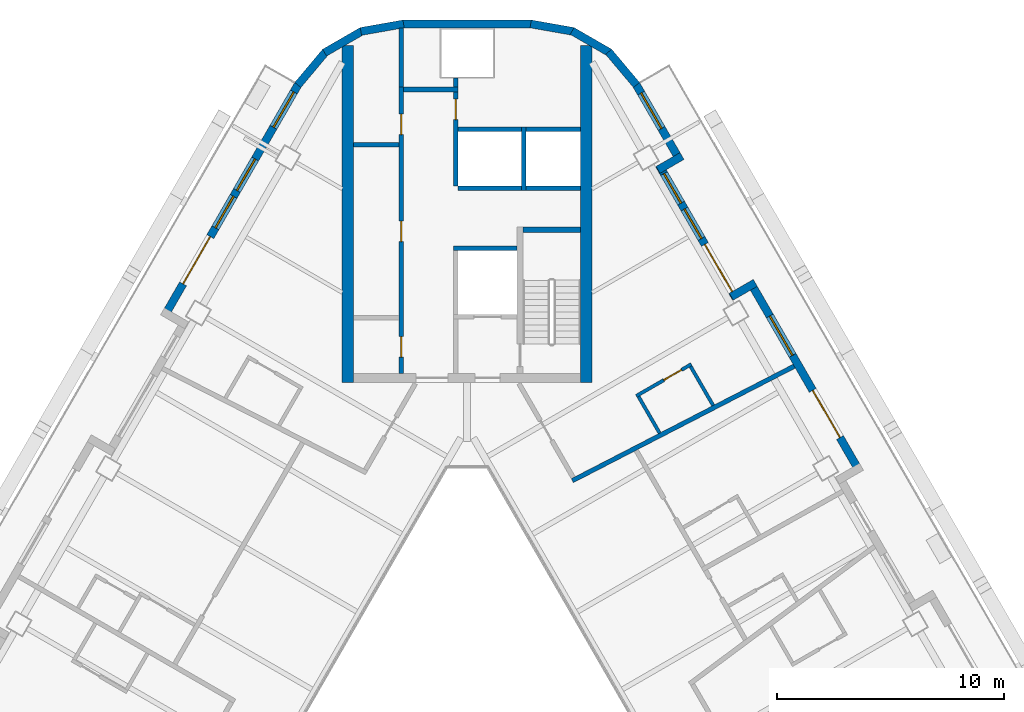
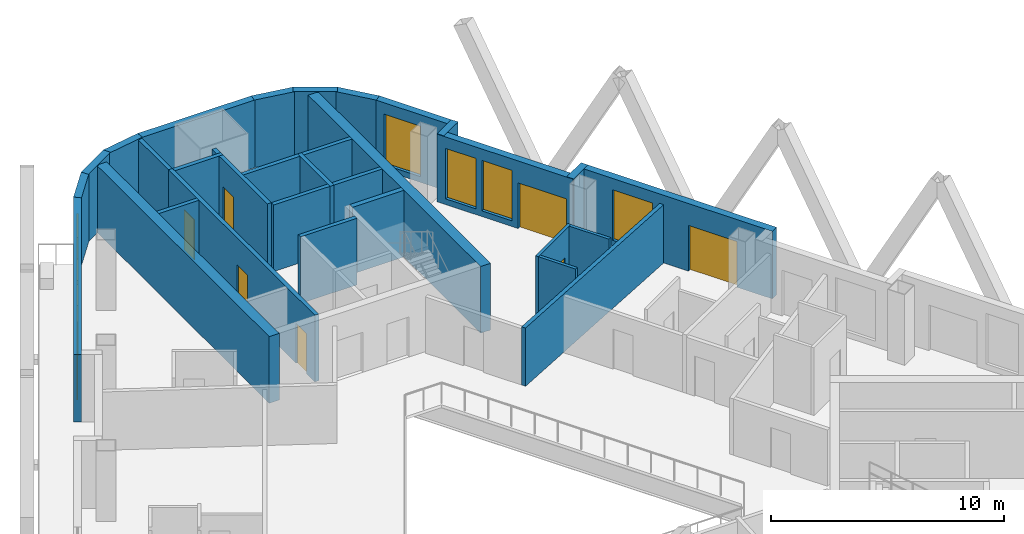
# One storey, part 7 of 14: 32 walls, 8 doors, 7 windows, 15 openings.
"""IFC4 building model written with IfcOpenShell, lengths in metres."""

from ifc_helpers import new_model, si_unit, direction, frame, frame_2d, origin, place, context, subcontext, project, spatial, rectangle, extrude, material, layer, layer_set, type_object, element, fill, save


model = new_model("IFC4")

# Units and contexts
model_context = context("Model", 3, precision=1e-05, world=origin(), true_north=direction((0.0, 1.0)))
body_context = subcontext(model_context, "Body", "Model", "MODEL_VIEW")
ifc_project = project(units=[si_unit("LENGTHUNIT", "METRE"), si_unit("AREAUNIT", "SQUARE_METRE"), si_unit("VOLUMEUNIT", "CUBIC_METRE"), si_unit("PLANEANGLEUNIT", "RADIAN"), si_unit("MASSUNIT", "GRAM", prefix="KILO")], contexts=[model_context])

# Site, building, storey
site_placement = place(None, origin())
site = spatial("IfcSite", under=ifc_project, at=site_placement, CompositionType="ELEMENT")
building_placement = place(site_placement, origin())
building = spatial("IfcBuilding", under=site, at=building_placement, Name="Apuvela Tower Hotel", CompositionType="ELEMENT")
storey_placement = place(building_placement, frame((0.0, 0.0, 168.800048828125)))
storey = spatial("IfcBuildingStorey", under=building, at=storey_placement, Name="L40", CompositionType="ELEMENT", Elevation=168.800048828125)

# Walls
ifc_material_1 = material(Name="Concrete C50/60", Category="concrete")
ifc_layer_1 = layer(ifc_material_1, 0.5)
ifc_layer_set_1 = layer_set([ifc_layer_1], Name="COR-WALL-CORE-500")
wall_type_1 = type_object("IfcWallType", Name="COR-WALL-CORE-500", PredefinedType="SHEAR", material=ifc_layer_set_1)
for number, where, z_axis, x_axis, name in (
    (1, (5.25, 12.89990234375, 0.0), (0.0, 0.0, 1.0), (0.0, 1.0, 0.0), "Core wall N"),
    (2, (-5.25, 12.89990234375, 0.0), (0.0, 0.0, 1.0), (0.0, 1.0, 0.0), "Core wall N"),
):
    element("IfcWall", number, at=place(storey_placement, frame(where, z_axis=z_axis, x_axis=x_axis)), inside=storey, type_object=wall_type_1, Name=name, PredefinedType="SHEAR", context=body_context, shape_type="SweptSolid", body=[
        extrude(rectangle(XDim=14.8369140625, YDim=0.5, at=frame_2d((7.41845703125, 0.0))), origin(), (0.0, 0.0, 1.0), 3.5),
    ])
ifc_material_2 = material(Name="Blockwork 200 mm plastered", Category="masonry")
ifc_layer_2 = layer(ifc_material_2, 0.199951171875)
ifc_layer_set_2 = layer_set([ifc_layer_2], Name="COR-WALL-PART-200")
wall_type_2 = type_object("IfcWallType", Name="COR-WALL-PART-200", PredefinedType="PARTITIONING", material=ifc_layer_set_2)
wall_1_placement = place(storey_placement, frame((5.0, 21.449951171875, 0.0), z_axis=(0.0, 0.0, 1.0), x_axis=(-1.0, 0.0, 0.0)))
element("IfcWall", 3, at=wall_1_placement, inside=storey, type_object=wall_type_2, Name="Partition N", PredefinedType="PARTITIONING", context=body_context, shape_type="SweptSolid", body=[
    extrude(rectangle(XDim=2.39990234375, YDim=0.199951171875, at=frame_2d((1.199951171875, 0.0))), origin(), (0.0, 0.0, 1.0), 3.5),
])
wall_2_placement = place(storey_placement, frame((2.39990234375, 21.449951171875, 0.0), z_axis=(0.0, 0.0, 1.0), x_axis=(-1.0, 0.0, 0.0)))
element("IfcWall", 4, at=wall_2_placement, inside=storey, type_object=wall_type_2, Name="Partition N", PredefinedType="PARTITIONING", context=body_context, shape_type="SweptSolid", body=[
    extrude(rectangle(XDim=2.7998046875, YDim=0.199951171875, at=frame_2d((1.39990234375, 0.0))), origin(), (0.0, 0.0, 1.0), 3.5),
])
ifc_layer_3 = layer(ifc_material_1, 0.199951171875)
ifc_layer_set_3 = layer_set([ifc_layer_3], Name="COR-WALL-SHAFT-200")
wall_type_3 = type_object("IfcWallType", Name="COR-WALL-SHAFT-200", PredefinedType="SHEAR", material=ifc_layer_set_3)
wall_3_placement = place(storey_placement, frame((2.199951171875, 18.800048828125, 0.0), z_axis=(0.0, 0.0, 1.0), x_axis=(-1.0, 0.0, 0.0)))
element("IfcWall", 5, at=wall_3_placement, inside=storey, type_object=wall_type_3, Name="Shaft wall N", PredefinedType="SHEAR", context=body_context, shape_type="SweptSolid", body=[
    extrude(rectangle(XDim=2.800048828125, YDim=0.199951171875, at=frame_2d((1.39990234375, 0.0))), origin(), (0.0, 0.0, 1.0), 3.5),
])

# Wall, openings, doors
wall_4_placement = place(storey_placement, frame((-2.89990234375, 13.300048828125, 0.0), z_axis=(0.0, 0.0, 1.0), x_axis=(0.0, 1.0, 0.0)))
wall_4 = element("IfcWall", 6, at=wall_4_placement, inside=storey, type_object=wall_type_3, Name="Shaft wall N", PredefinedType="SHEAR", context=body_context, shape_type="SweptSolid", body=[
    extrude(rectangle(XDim=12.599853515625, YDim=0.199951171875, at=frame_2d((6.2998046875, 0.0))), origin(), (0.0, 0.0, 1.0), 3.5),
])
opening_1_placement = place(wall_4_placement, frame((0.719970703125, 0.0, 0.0)))
opening_1 = element("IfcOpeningElement", 7, at=opening_1_placement, cuts=wall_4, Name="Opening N-RE1", PredefinedType="OPENING", context=body_context, shape_type="SweptSolid", body=[
    extrude(rectangle(XDim=0.89990234375, YDim=2.10009765625, at=frame_2d((0.449951171875, 1.050048828125))), frame((0.0, 0.10986328125, 0.0), z_axis=(0.0, -1.0, 0.0), x_axis=(1.0, 0.0, 0.0)), (0.0, 0.0, 1.0), 0.219970703125),
])
opening_2_placement = place(wall_4_placement, frame((5.800048828125, 0.0, 0.0)))
opening_2 = element("IfcOpeningElement", 8, at=opening_2_placement, cuts=wall_4, Name="Opening N-RE2", PredefinedType="OPENING", context=body_context, shape_type="SweptSolid", body=[
    extrude(rectangle(XDim=0.89990234375, YDim=2.10009765625, at=frame_2d((0.449951171875, 1.050048828125))), frame((0.0, 0.10986328125, 0.0), z_axis=(0.0, -1.0, 0.0), x_axis=(1.0, 0.0, 0.0)), (0.0, 0.0, 1.0), 0.219970703125),
])
opening_3_placement = place(wall_4_placement, frame((10.510009765625, 0.0, 0.0)))
opening_3 = element("IfcOpeningElement", 9, at=opening_3_placement, cuts=wall_4, Name="Opening N-REP", PredefinedType="OPENING", context=body_context, shape_type="SweptSolid", body=[
    extrude(rectangle(XDim=0.89990234375, YDim=2.10009765625, at=frame_2d((0.449951171875, 1.050048828125))), frame((0.0, 0.10986328125, 0.0), z_axis=(0.0, -1.0, 0.0), x_axis=(1.0, 0.0, 0.0)), (0.0, 0.0, 1.0), 0.219970703125),
])
ifc_material_3 = material(Name="Steel fire door, powder coated", Category="steel")
door_type_1 = type_object("IfcDoorType", Name="COR-DR-900", OperationType="NOTDEFINED", PredefinedType="DOOR", material=ifc_material_3)
door_1_placement = place(opening_1_placement, origin())
door_1 = element("IfcDoor", 10, at=door_1_placement, inside=storey, type_object=door_type_1, Name="Store door N-RE1", OperationType="SINGLE_SWING_LEFT", OverallHeight=2.10009765625, OverallWidth=0.89990234375, PredefinedType="DOOR", context=body_context, shape_type="SweptSolid", body=[
    extrude(rectangle(XDim=0.89990234375, YDim=2.10009765625, at=frame_2d((0.449951171875, 1.050048828125))), frame((0.0, 0.02490234375, 0.0), z_axis=(0.0, -1.0, 0.0), x_axis=(1.0, 0.0, 0.0)), (0.0, 0.0, 1.0), 0.050048828125),
])
fill(opening_1, door_1)
door_2_placement = place(opening_2_placement, origin())
door_2 = element("IfcDoor", 11, at=door_2_placement, inside=storey, type_object=door_type_1, Name="Store door N-RE2", OperationType="SINGLE_SWING_RIGHT", OverallHeight=2.10009765625, OverallWidth=0.89990234375, PredefinedType="DOOR", context=body_context, shape_type="SweptSolid", body=[
    extrude(rectangle(XDim=0.89990234375, YDim=2.10009765625, at=frame_2d((0.449951171875, 1.050048828125))), frame((0.0, 0.02490234375, 0.0), z_axis=(0.0, -1.0, 0.0), x_axis=(1.0, 0.0, 0.0)), (0.0, 0.0, 1.0), 0.050048828125),
])
fill(opening_2, door_2)
door_3_placement = place(opening_3_placement, origin())
door_3 = element("IfcDoor", 12, at=door_3_placement, inside=storey, type_object=door_type_1, Name="Store door N-REP", OperationType="SINGLE_SWING_RIGHT", OverallHeight=2.10009765625, OverallWidth=0.89990234375, PredefinedType="DOOR", context=body_context, shape_type="SweptSolid", body=[
    extrude(rectangle(XDim=0.89990234375, YDim=2.10009765625, at=frame_2d((0.449951171875, 1.050048828125))), frame((0.0, 0.02490234375, 0.0), z_axis=(0.0, -1.0, 0.0), x_axis=(1.0, 0.0, 0.0)), (0.0, 0.0, 1.0), 0.050048828125),
])
fill(opening_3, door_3)

# Wall
wall_5_placement = place(storey_placement, frame((-0.39990234375, 25.800048828125, 0.0), z_axis=(0.0, 0.0, 1.0), x_axis=(-1.0, 0.0, 0.0)))
element("IfcWall", 13, at=wall_5_placement, inside=storey, type_object=wall_type_3, Name="Shaft wall N", PredefinedType="SHEAR", context=body_context, shape_type="SweptSolid", body=[
    extrude(rectangle(XDim=2.400146484375, YDim=0.199951171875, at=frame_2d((1.2001953125, 0.0))), origin(), (0.0, 0.0, 1.0), 3.5),
])

# Wall, opening, door
wall_6_placement = place(storey_placement, frame((-0.5, 21.550048828125, 0.0), z_axis=(0.0, 0.0, 1.0), x_axis=(0.0, 1.0, 0.0)))
wall_6 = element("IfcWall", 14, at=wall_6_placement, inside=storey, type_object=wall_type_3, Name="Shaft wall N", PredefinedType="SHEAR", context=body_context, shape_type="SweptSolid", body=[
    extrude(rectangle(XDim=4.14990234375, YDim=0.199951171875, at=frame_2d((2.074951171875, 0.0))), origin(), (0.0, 0.0, 1.0), 3.5),
])
opening_4_placement = place(wall_6_placement, frame((2.925048828125, 0.0, 0.0)))
opening_4 = element("IfcOpeningElement", 15, at=opening_4_placement, cuts=wall_6, Name="Opening N-RSP", PredefinedType="OPENING", context=body_context, shape_type="SweptSolid", body=[
    extrude(rectangle(XDim=0.89990234375, YDim=2.10009765625, at=frame_2d((0.449951171875, 1.050048828125))), frame((0.0, 0.10986328125, 0.0), z_axis=(0.0, -1.0, 0.0), x_axis=(1.0, 0.0, 0.0)), (0.0, 0.0, 1.0), 0.219970703125),
])
door_4_placement = place(opening_4_placement, frame((0.89990234375, 0.0, 0.0), z_axis=(0.0, 0.0, 1.0), x_axis=(-1.0, 0.0, 0.0)))
door_4 = element("IfcDoor", 16, at=door_4_placement, inside=storey, type_object=door_type_1, Name="Store door N-RSP", OperationType="SINGLE_SWING_LEFT", OverallHeight=2.10009765625, OverallWidth=0.89990234375, PredefinedType="DOOR", context=body_context, shape_type="SweptSolid", body=[
    extrude(rectangle(XDim=0.89990234375, YDim=2.10009765625, at=frame_2d((0.449951171875, 1.050048828125))), frame((0.0, 0.02490234375, 0.0), z_axis=(0.0, -1.0, 0.0), x_axis=(1.0, 0.0, 0.0)), (0.0, 0.0, 1.0), 0.050048828125),
])
fill(opening_4, door_4)

# Walls
wall_7_placement = place(storey_placement, frame((-3.0, 23.360107421875, 0.0), z_axis=(0.0, 0.0, 1.0), x_axis=(-1.0, 0.0, 0.0)))
element("IfcWall", 17, at=wall_7_placement, inside=storey, type_object=wall_type_3, Name="Shaft wall N", PredefinedType="SHEAR", context=body_context, shape_type="SweptSolid", body=[
    extrude(rectangle(XDim=2.0, YDim=0.199951171875, at=frame_2d((1.0, 0.0))), origin(), (0.0, 0.0, 1.0), 3.5),
])
wall_8_placement = place(storey_placement, frame((-0.5, 25.89990234375, 0.0), z_axis=(0.0, 0.0, 1.0), x_axis=(0.0, 1.0, 0.0)))
element("IfcWall", 18, at=wall_8_placement, inside=storey, type_object=wall_type_3, Name="Shaft wall N", PredefinedType="SHEAR", context=body_context, shape_type="SweptSolid", body=[
    extrude(rectangle(XDim=0.400146484375, YDim=0.199951171875, at=frame_2d((0.2001953125, 0.0))), origin(), (0.0, 0.0, 1.0), 3.5),
])
wall_9_placement = place(storey_placement, frame((-2.89990234375, 25.89990234375, 0.0), z_axis=(0.0, 0.0, 1.0), x_axis=(0.0, 1.0, 0.0)))
element("IfcWall", 19, at=wall_9_placement, inside=storey, type_object=wall_type_3, Name="Shaft wall N", PredefinedType="SHEAR", context=body_context, shape_type="SweptSolid", body=[
    extrude(rectangle(XDim=2.60009765625, YDim=0.199951171875, at=frame_2d((1.300048828125, 0.0))), origin(), (0.0, 0.0, 1.0), 3.5),
])
wall_10_placement = place(storey_placement, frame((2.5, 21.35009765625, 0.0), z_axis=(0.0, 0.0, 1.0), x_axis=(0.0, 1.0, 0.0)))
element("IfcWall", 20, at=wall_10_placement, inside=storey, type_object=wall_type_3, Name="Shaft wall N", PredefinedType="SHEAR", context=body_context, shape_type="SweptSolid", body=[
    extrude(rectangle(XDim=2.7998046875, YDim=0.199951171875, at=frame_2d((1.39990234375, 0.0))), origin(), (0.0, 0.0, 1.0), 3.5),
])
wall_11_placement = place(storey_placement, frame((5.0, 24.050048828125, 0.0), z_axis=(0.0, 0.0, 1.0), x_axis=(-1.0, 0.0, 0.0)))
element("IfcWall", 21, at=wall_11_placement, inside=storey, type_object=wall_type_3, Name="Shaft wall N", PredefinedType="SHEAR", context=body_context, shape_type="SweptSolid", body=[
    extrude(rectangle(XDim=2.39990234375, YDim=0.199951171875, at=frame_2d((1.199951171875, 0.0))), origin(), (0.0, 0.0, 1.0), 3.5),
])
wall_12_placement = place(storey_placement, frame((2.39990234375, 24.050048828125, 0.0), z_axis=(0.0, 0.0, 1.0), x_axis=(-1.0, 0.0, 0.0)))
element("IfcWall", 22, at=wall_12_placement, inside=storey, type_object=wall_type_3, Name="Shaft wall N", PredefinedType="SHEAR", context=body_context, shape_type="SweptSolid", body=[
    extrude(rectangle(XDim=2.7998046875, YDim=0.199951171875, at=frame_2d((1.39990234375, 0.0))), origin(), (0.0, 0.0, 1.0), 3.5),
])
ifc_layer_4 = layer(ifc_material_1, 0.25)
ifc_layer_set_4 = layer_set([ifc_layer_4], Name="COR-WALL-STAIR-250")
wall_type_4 = type_object("IfcWallType", Name="COR-WALL-STAIR-250", PredefinedType="SHEAR", material=ifc_layer_set_4)
wall_13_placement = place(storey_placement, frame((5.0, 19.625, 0.0), z_axis=(0.0, 0.0, 1.0), x_axis=(-1.0, 0.0, 0.0)))
element("IfcWall", 23, at=wall_13_placement, inside=storey, type_object=wall_type_4, Name="Stair wall N", PredefinedType="SHEAR", context=body_context, shape_type="SweptSolid", body=[
    extrude(rectangle(XDim=2.550048828125, YDim=0.25, at=frame_2d((1.27490234375, 0.0))), origin(), (0.0, 0.0, 1.0), 3.5),
])

# Wall, openings, door, windows
ifc_material_4 = material(Name="Concrete C40/50, dark pigmented precast panel", Category="concrete")
ifc_layer_5 = layer(ifc_material_4, 0.35009765625)
ifc_layer_set_5 = layer_set([ifc_layer_5], Name="ENV-WALL-350")
wall_type_5 = type_object("IfcWallType", Name="ENV-WALL-350", PredefinedType="SOLIDWALL", material=ifc_layer_set_5)
wall_14_placement = place(storey_placement, frame((-7.440673828125, 26.0224609375, 0.0), z_axis=(0.0, 0.0, 1.0), x_axis=(-0.499992533062, -0.86602971478, 0.0)))
wall_14 = element("IfcWall", 24, at=wall_14_placement, inside=storey, type_object=wall_type_5, Name="External wall L40-01", PredefinedType="SOLIDWALL", context=body_context, shape_type="SweptSolid", body=[
    extrude(rectangle(XDim=11.815673828125, YDim=0.35009765625, at=frame_2d((5.90771484375, 0.0))), origin(), (0.0, 0.0, 1.0), 3.550048828125),
])
opening_5_placement = place(wall_14_placement, frame((0.381103515625, 0.0, 0.300048828125)))
opening_5 = element("IfcOpeningElement", 25, at=opening_5_placement, cuts=wall_14, Name="Opening WN18", PredefinedType="OPENING", context=body_context, shape_type="SweptSolid", body=[
    extrude(rectangle(XDim=1.800048828125, YDim=2.64990234375, at=frame_2d((0.89990234375, 1.324951171875))), frame((0.0, 0.18505859375, 0.0), z_axis=(0.0, -1.0, 0.0), x_axis=(1.0, 0.0, 0.0)), (0.0, 0.0, 1.0), 0.3701171875),
])
opening_6_placement = place(wall_14_placement, frame((7.740478515625, 0.0, 0.0)))
opening_6 = element("IfcOpeningElement", 26, at=opening_6_placement, cuts=wall_14, Name="Opening BD24", PredefinedType="OPENING", context=body_context, shape_type="SweptSolid", body=[
    extrude(rectangle(XDim=2.39990234375, YDim=2.39990234375, at=frame_2d((1.199951171875, 1.199951171875))), frame((0.0, 0.18505859375, 0.0), z_axis=(0.0, -1.0, 0.0), x_axis=(1.0, 0.0, 0.0)), (0.0, 0.0, 1.0), 0.3701171875),
])
opening_7_placement = place(wall_14_placement, frame((3.791015625, 0.0, 0.300048828125)))
opening_7 = element("IfcOpeningElement", 27, at=opening_7_placement, cuts=wall_14, Name="Opening WN16", PredefinedType="OPENING", context=body_context, shape_type="SweptSolid", body=[
    extrude(rectangle(XDim=1.60009765625, YDim=2.64990234375, at=frame_2d((0.800048828125, 1.324951171875))), frame((0.0, 0.18505859375, 0.0), z_axis=(0.0, -1.0, 0.0), x_axis=(1.0, 0.0, 0.0)), (0.0, 0.0, 1.0), 0.3701171875),
])
opening_8_placement = place(wall_14_placement, frame((5.69091796875, 0.0, 0.300048828125)))
opening_8 = element("IfcOpeningElement", 28, at=opening_8_placement, cuts=wall_14, Name="Opening WN16", PredefinedType="OPENING", context=body_context, shape_type="SweptSolid", body=[
    extrude(rectangle(XDim=1.60009765625, YDim=2.64990234375, at=frame_2d((0.800048828125, 1.324951171875))), frame((0.0, 0.18505859375, 0.0), z_axis=(0.0, -1.0, 0.0), x_axis=(1.0, 0.0, 0.0)), (0.0, 0.0, 1.0), 0.3701171875),
])
ifc_material_5 = material(Name="Aluminium 6063-T6, dark bronze anodised frame with dark tinted laminated glass", Category="aluminium")
door_type_2 = type_object("IfcDoorType", Name="ENV-DOOR-BALCONY-2400x2400", OperationType="SLIDING_TO_LEFT", PredefinedType="DOOR", material=ifc_material_5)
door_5_placement = place(opening_6_placement, frame((2.39990234375, 0.0, 0.0), z_axis=(0.0, 0.0, 1.0), x_axis=(-1.0, 0.0, 0.0)))
door_5 = element("IfcDoor", 29, at=door_5_placement, inside=storey, type_object=door_type_2, Name="Balcony door BD24", OperationType="SLIDING_TO_LEFT", OverallHeight=2.39990234375, OverallWidth=2.39990234375, PredefinedType="DOOR", context=body_context, shape_type="SweptSolid", body=[
    extrude(rectangle(XDim=2.39990234375, YDim=2.39990234375, at=frame_2d((1.199951171875, 1.199951171875))), frame((0.0, 0.02490234375, 0.0), z_axis=(0.0, -1.0, 0.0), x_axis=(1.0, 0.0, 0.0)), (0.0, 0.0, 1.0), 0.050048828125),
])
fill(opening_6, door_5)
ifc_material_6 = material(Name="Glass, dark tinted laminated insulated glazing unit", Category="glass")
window_type_1 = type_object("IfcWindowType", Name="ENV-WIN-1600x2650", PartitioningType="SINGLE_PANEL", PredefinedType="WINDOW", material=ifc_material_6)
window_1_placement = place(opening_7_placement, origin())
window_1 = element("IfcWindow", 30, at=window_1_placement, inside=storey, type_object=window_type_1, Name="Window WN16", OverallHeight=2.64990234375, OverallWidth=1.60009765625, PartitioningType="SINGLE_PANEL", PredefinedType="WINDOW", context=body_context, shape_type="SweptSolid", body=[
    extrude(rectangle(XDim=1.60009765625, YDim=2.64990234375, at=frame_2d((0.800048828125, 1.324951171875))), frame((0.0, 0.030029296875, 0.0), z_axis=(0.0, -1.0, 0.0), x_axis=(1.0, 0.0, 0.0)), (0.0, 0.0, 1.0), 0.06005859375),
])
fill(opening_7, window_1)
window_2_placement = place(opening_8_placement, origin())
window_2 = element("IfcWindow", 31, at=window_2_placement, inside=storey, type_object=window_type_1, Name="Window WN16", OverallHeight=2.64990234375, OverallWidth=1.60009765625, PartitioningType="SINGLE_PANEL", PredefinedType="WINDOW", context=body_context, shape_type="SweptSolid", body=[
    extrude(rectangle(XDim=1.60009765625, YDim=2.64990234375, at=frame_2d((0.800048828125, 1.324951171875))), frame((0.0, 0.030029296875, 0.0), z_axis=(0.0, -1.0, 0.0), x_axis=(1.0, 0.0, 0.0)), (0.0, 0.0, 1.0), 0.06005859375),
])
fill(opening_8, window_2)
window_type_2 = type_object("IfcWindowType", Name="ENV-WIN-1800x2650", PartitioningType="SINGLE_PANEL", PredefinedType="WINDOW", material=ifc_material_6)
window_3_placement = place(opening_5_placement, origin())
window_3 = element("IfcWindow", 32, at=window_3_placement, inside=storey, type_object=window_type_2, Name="Window WN18", OverallHeight=2.64990234375, OverallWidth=1.800048828125, PartitioningType="SINGLE_PANEL", PredefinedType="WINDOW", context=body_context, shape_type="SweptSolid", body=[
    extrude(rectangle(XDim=1.800048828125, YDim=2.64990234375, at=frame_2d((0.89990234375, 1.324951171875))), frame((0.0, 0.030029296875, 0.0), z_axis=(0.0, -1.0, 0.0), x_axis=(1.0, 0.0, 0.0)), (0.0, 0.0, 1.0), 0.06005859375),
])
fill(opening_5, window_3)

# Wall, openings, door, window
wall_15_placement = place(storey_placement, frame((17.298583984375, 8.947998046875, 0.0), z_axis=(0.0, 0.0, 1.0), x_axis=(-0.500010041276, 0.866019606374, 0.0)))
wall_15 = element("IfcWall", 33, at=wall_15_placement, inside=storey, type_object=wall_type_5, Name="External wall L40-37", PredefinedType="SOLIDWALL", context=body_context, shape_type="SweptSolid", body=[
    extrude(rectangle(XDim=9.699951171875, YDim=0.35009765625, at=frame_2d((4.85009765625, 0.0))), origin(), (0.0, 0.0, 1.0), 3.550048828125),
])
opening_9_placement = place(wall_15_placement, frame((1.761962890625, 0.0, 0.0)))
opening_9 = element("IfcOpeningElement", 34, at=opening_9_placement, cuts=wall_15, Name="Opening BD24", PredefinedType="OPENING", context=body_context, shape_type="SweptSolid", body=[
    extrude(rectangle(XDim=2.39990234375, YDim=2.39990234375, at=frame_2d((1.199951171875, 1.199951171875))), frame((0.0, 0.18505859375, 0.0), z_axis=(0.0, -1.0, 0.0), x_axis=(1.0, 0.0, 0.0)), (0.0, 0.0, 1.0), 0.3701171875),
])
opening_10_placement = place(wall_15_placement, frame((5.940673828125, 0.0, 0.300048828125)))
opening_10 = element("IfcOpeningElement", 35, at=opening_10_placement, cuts=wall_15, Name="Opening WN20", PredefinedType="OPENING", context=body_context, shape_type="SweptSolid", body=[
    extrude(rectangle(XDim=2.0, YDim=2.64990234375, at=frame_2d((1.0, 1.324951171875))), frame((0.0, 0.18505859375, 0.0), z_axis=(0.0, -1.0, 0.0), x_axis=(1.0, 0.0, 0.0)), (0.0, 0.0, 1.0), 0.3701171875),
])
door_6_placement = place(opening_9_placement, frame((2.39990234375, 0.0, 0.0), z_axis=(0.0, 0.0, 1.0), x_axis=(-1.0, 0.0, 0.0)))
door_6 = element("IfcDoor", 36, at=door_6_placement, inside=storey, type_object=door_type_2, Name="Balcony door BD24", OperationType="SLIDING_TO_LEFT", OverallHeight=2.39990234375, OverallWidth=2.39990234375, PredefinedType="DOOR", context=body_context, shape_type="SweptSolid", body=[
    extrude(rectangle(XDim=2.39990234375, YDim=2.39990234375, at=frame_2d((1.199951171875, 1.199951171875))), frame((0.0, 0.02490234375, 0.0), z_axis=(0.0, -1.0, 0.0), x_axis=(1.0, 0.0, 0.0)), (0.0, 0.0, 1.0), 0.050048828125),
])
fill(opening_9, door_6)
window_type_3 = type_object("IfcWindowType", Name="ENV-WIN-2000x2650", PartitioningType="SINGLE_PANEL", PredefinedType="WINDOW", material=ifc_material_6)
window_4_placement = place(opening_10_placement, origin())
window_4 = element("IfcWindow", 37, at=window_4_placement, inside=storey, type_object=window_type_3, Name="Window WN20", OverallHeight=2.64990234375, OverallWidth=2.0, PartitioningType="SINGLE_PANEL", PredefinedType="WINDOW", context=body_context, shape_type="SweptSolid", body=[
    extrude(rectangle(XDim=2.0, YDim=2.64990234375, at=frame_2d((1.0, 1.324951171875))), frame((0.0, 0.030029296875, 0.0), z_axis=(0.0, -1.0, 0.0), x_axis=(1.0, 0.0, 0.0)), (0.0, 0.0, 1.0), 0.06005859375),
])
fill(opening_10, window_4)

# Wall
wall_16_placement = place(storey_placement, frame((12.6875, 17.284423828125, 0.0), z_axis=(0.0, 0.0, 1.0), x_axis=(-0.865955602162, -0.500120880472, 0.0)))
element("IfcWall", 38, at=wall_16_placement, inside=storey, type_object=wall_type_5, Name="External wall L40-38", PredefinedType="SOLIDWALL", context=body_context, shape_type="SweptSolid", body=[
    extrude(rectangle(XDim=1.219970703125, YDim=0.35009765625, at=frame_2d((0.60986328125, 0.0))), origin(), (0.0, 0.0, 1.0), 3.550048828125),
])

# Wall, openings, door, windows
wall_17_placement = place(storey_placement, frame((11.8291015625, 16.621337890625, 0.0), z_axis=(0.0, 0.0, 1.0), x_axis=(-0.500003597184, 0.866023326939, 0.0)))
wall_17 = element("IfcWall", 39, at=wall_17_placement, inside=storey, type_object=wall_type_5, Name="External wall L40-39", PredefinedType="SOLIDWALL", context=body_context, shape_type="SweptSolid", body=[
    extrude(rectangle(XDim=6.740234375, YDim=0.35009765625, at=frame_2d((3.3701171875, 0.0))), origin(), (0.0, 0.0, 1.0), 3.550048828125),
])
opening_11_placement = place(wall_17_placement, frame((0.320068359375, 0.0, 0.0)))
opening_11 = element("IfcOpeningElement", 40, at=opening_11_placement, cuts=wall_17, Name="Opening BD24", PredefinedType="OPENING", context=body_context, shape_type="SweptSolid", body=[
    extrude(rectangle(XDim=2.39990234375, YDim=2.39990234375, at=frame_2d((1.199951171875, 1.199951171875))), frame((0.0, 0.18505859375, 0.0), z_axis=(0.0, -1.0, 0.0), x_axis=(1.0, 0.0, 0.0)), (0.0, 0.0, 1.0), 0.3701171875),
])
opening_12_placement = place(wall_17_placement, frame((3.02001953125, 0.0, 0.300048828125)))
opening_12 = element("IfcOpeningElement", 41, at=opening_12_placement, cuts=wall_17, Name="Opening WN15", PredefinedType="OPENING", context=body_context, shape_type="SweptSolid", body=[
    extrude(rectangle(XDim=1.5, YDim=2.64990234375, at=frame_2d((0.75, 1.324951171875))), frame((0.0, 0.18505859375, 0.0), z_axis=(0.0, -1.0, 0.0), x_axis=(1.0, 0.0, 0.0)), (0.0, 0.0, 1.0), 0.3701171875),
])
opening_13_placement = place(wall_17_placement, frame((4.820068359375, 0.0, 0.300048828125)))
opening_13 = element("IfcOpeningElement", 42, at=opening_13_placement, cuts=wall_17, Name="Opening WN15", PredefinedType="OPENING", context=body_context, shape_type="SweptSolid", body=[
    extrude(rectangle(XDim=1.5, YDim=2.64990234375, at=frame_2d((0.75, 1.324951171875))), frame((0.0, 0.18505859375, 0.0), z_axis=(0.0, -1.0, 0.0), x_axis=(1.0, 0.0, 0.0)), (0.0, 0.0, 1.0), 0.3701171875),
])
door_7_placement = place(opening_11_placement, frame((2.39990234375, 0.0, 0.0), z_axis=(0.0, 0.0, 1.0), x_axis=(-1.0, 0.0, 0.0)))
door_7 = element("IfcDoor", 43, at=door_7_placement, inside=storey, type_object=door_type_2, Name="Balcony door BD24", OperationType="SLIDING_TO_LEFT", OverallHeight=2.39990234375, OverallWidth=2.39990234375, PredefinedType="DOOR", context=body_context, shape_type="SweptSolid", body=[
    extrude(rectangle(XDim=2.39990234375, YDim=2.39990234375, at=frame_2d((1.199951171875, 1.199951171875))), frame((0.0, 0.02490234375, 0.0), z_axis=(0.0, -1.0, 0.0), x_axis=(1.0, 0.0, 0.0)), (0.0, 0.0, 1.0), 0.050048828125),
])
fill(opening_11, door_7)
window_type_4 = type_object("IfcWindowType", Name="ENV-WIN-1500x2650", PartitioningType="SINGLE_PANEL", PredefinedType="WINDOW", material=ifc_material_6)
window_5_placement = place(opening_12_placement, origin())
window_5 = element("IfcWindow", 44, at=window_5_placement, inside=storey, type_object=window_type_4, Name="Window WN15", OverallHeight=2.64990234375, OverallWidth=1.5, PartitioningType="SINGLE_PANEL", PredefinedType="WINDOW", context=body_context, shape_type="SweptSolid", body=[
    extrude(rectangle(XDim=1.5, YDim=2.64990234375, at=frame_2d((0.75, 1.324951171875))), frame((0.0, 0.030029296875, 0.0), z_axis=(0.0, -1.0, 0.0), x_axis=(1.0, 0.0, 0.0)), (0.0, 0.0, 1.0), 0.06005859375),
])
fill(opening_12, window_5)
window_6_placement = place(opening_13_placement, origin())
window_6 = element("IfcWindow", 45, at=window_6_placement, inside=storey, type_object=window_type_4, Name="Window WN15", OverallHeight=2.64990234375, OverallWidth=1.5, PartitioningType="SINGLE_PANEL", PredefinedType="WINDOW", context=body_context, shape_type="SweptSolid", body=[
    extrude(rectangle(XDim=1.5, YDim=2.64990234375, at=frame_2d((0.75, 1.324951171875))), frame((0.0, 0.030029296875, 0.0), z_axis=(0.0, -1.0, 0.0), x_axis=(1.0, 0.0, 0.0)), (0.0, 0.0, 1.0), 0.06005859375),
])
fill(opening_13, window_6)

# Wall
wall_18_placement = place(storey_placement, frame((8.406005859375, 22.26025390625, 0.0), z_axis=(0.0, 0.0, 1.0), x_axis=(0.865955602162, 0.500120880472, 0.0)))
element("IfcWall", 46, at=wall_18_placement, inside=storey, type_object=wall_type_5, Name="External wall L40-40", PredefinedType="SOLIDWALL", context=body_context, shape_type="SweptSolid", body=[
    extrude(rectangle(XDim=1.219970703125, YDim=0.35009765625, at=frame_2d((0.60986328125, 0.0))), origin(), (0.0, 0.0, 1.0), 3.550048828125),
])

# Wall, opening, window
wall_19_placement = place(storey_placement, frame((9.3984375, 22.631103515625, 0.0), z_axis=(0.0, 0.0, 1.0), x_axis=(-0.499954521343, 0.866051659307, 0.0)))
wall_19 = element("IfcWall", 47, at=wall_19_placement, inside=storey, type_object=wall_type_5, Name="External wall L40-41", PredefinedType="SOLIDWALL", context=body_context, shape_type="SweptSolid", body=[
    extrude(rectangle(XDim=3.915771484375, YDim=0.35009765625, at=frame_2d((1.9580078125, 0.0))), origin(), (0.0, 0.0, 1.0), 3.550048828125),
])
opening_14_placement = place(wall_19_placement, frame((1.67529296875, 0.0, 0.300048828125)))
opening_14 = element("IfcOpeningElement", 48, at=opening_14_placement, cuts=wall_19, Name="Opening WN18", PredefinedType="OPENING", context=body_context, shape_type="SweptSolid", body=[
    extrude(rectangle(XDim=1.800048828125, YDim=2.64990234375, at=frame_2d((0.89990234375, 1.324951171875))), frame((0.0, 0.18505859375, 0.0), z_axis=(0.0, -1.0, 0.0), x_axis=(1.0, 0.0, 0.0)), (0.0, 0.0, 1.0), 0.3701171875),
])
window_7_placement = place(opening_14_placement, origin())
window_7 = element("IfcWindow", 49, at=window_7_placement, inside=storey, type_object=window_type_2, Name="Window WN18", OverallHeight=2.64990234375, OverallWidth=1.800048828125, PartitioningType="SINGLE_PANEL", PredefinedType="WINDOW", context=body_context, shape_type="SweptSolid", body=[
    extrude(rectangle(XDim=1.800048828125, YDim=2.64990234375, at=frame_2d((0.89990234375, 1.324951171875))), frame((0.0, 0.030029296875, 0.0), z_axis=(0.0, -1.0, 0.0), x_axis=(1.0, 0.0, 0.0)), (0.0, 0.0, 1.0), 0.06005859375),
])
fill(opening_14, window_7)

# Walls
wall_20_placement = place(storey_placement, frame((7.4580078125, 25.99755859375, 0.0), z_axis=(0.0, 0.0, 1.0), x_axis=(-0.642808304945, 0.766027077259, 0.0)))
element("IfcWall", 50, at=wall_20_placement, inside=storey, type_object=wall_type_5, Name="External wall L40-42", PredefinedType="SOLIDWALL", context=body_context, shape_type="SweptSolid", body=[
    extrude(rectangle(XDim=1.909912109375, YDim=0.35009765625, at=frame_2d((0.955078125, 0.0))), origin(), (0.0, 0.0, 1.0), 3.550048828125),
])
for number, where, z_axis, x_axis, name in (
    (51, (6.27685546875, 27.421630859375, 0.0), (0.0, 0.0, 1.0), (-0.866032345022, 0.499987977232, 0.0), "External wall L40-43"),
    (52, (4.6796875, 28.35595703125, 0.0), (0.0, 0.0, 1.0), (-0.984798995425, 0.173697837091, 0.0), "External wall L40-44"),
):
    element("IfcWall", number, at=place(storey_placement, frame(where, z_axis=z_axis, x_axis=x_axis)), inside=storey, type_object=wall_type_5, Name=name, PredefinedType="SOLIDWALL", context=body_context, shape_type="SweptSolid", body=[
        extrude(rectangle(XDim=1.91015625, YDim=0.35009765625, at=frame_2d((0.955078125, 0.0))), origin(), (0.0, 0.0, 1.0), 3.550048828125),
    ])
wall_21_placement = place(storey_placement, frame((2.8291015625, 28.68505859375, 0.0), z_axis=(0.0, 0.0, 1.0), x_axis=(-1.0, 0.0, 0.0)))
element("IfcWall", 53, at=wall_21_placement, inside=storey, type_object=wall_type_5, Name="External wall L40-45", PredefinedType="SOLIDWALL", context=body_context, shape_type="SweptSolid", body=[
    extrude(rectangle(XDim=5.658203125, YDim=0.35009765625, at=frame_2d((2.8291015625, 0.0))), origin(), (0.0, 0.0, 1.0), 3.550048828125),
])
for number, where, z_axis, x_axis, name in (
    (54, (-2.798583984375, 28.687744140625, 0.0), (0.0, 0.0, 1.0), (-0.984798995425, -0.173697837091, 0.0), "External wall L40-46"),
    (55, (-4.62255859375, 28.376708984375, 0.0), (0.0, 0.0, 1.0), (-0.866032345022, -0.499987977232, 0.0), "External wall L40-47"),
):
    element("IfcWall", number, at=place(storey_placement, frame(where, z_axis=z_axis, x_axis=x_axis)), inside=storey, type_object=wall_type_5, Name=name, PredefinedType="SOLIDWALL", context=body_context, shape_type="SweptSolid", body=[
        extrude(rectangle(XDim=1.91015625, YDim=0.35009765625, at=frame_2d((0.955078125, 0.0))), origin(), (0.0, 0.0, 1.0), 3.550048828125),
    ])
wall_22_placement = place(storey_placement, frame((-6.230224609375, 27.460693359375, 0.0), z_axis=(0.0, 0.0, 1.0), x_axis=(-0.642808304945, -0.766027077259, 0.0)))
element("IfcWall", 56, at=wall_22_placement, inside=storey, type_object=wall_type_5, Name="External wall L40-48", PredefinedType="SOLIDWALL", context=body_context, shape_type="SweptSolid", body=[
    extrude(rectangle(XDim=1.909912109375, YDim=0.35009765625, at=frame_2d((0.955078125, 0.0))), origin(), (0.0, 0.0, 1.0), 3.550048828125),
])
ifc_material_7 = material(Name="Gypsum board partition on twin steel stud", Category="steel")
ifc_layer_6 = layer(ifc_material_7, 0.199951171875)
ifc_layer_set_6 = layer_set([ifc_layer_6], Name="GST-PW1")
wall_type_6 = type_object("IfcWallType", Name="GST-PW1", PredefinedType="PARTITIONING", material=ifc_layer_set_6)
wall_23_placement = place(storey_placement, frame((14.402099609375, 13.614990234375, 0.0), z_axis=(0.0, 0.0, 1.0), x_axis=(-0.888691893785, -0.458504872299, 0.0)))
element("IfcWall", 57, at=wall_23_placement, inside=storey, type_object=wall_type_6, Name="L40 partition 06", PredefinedType="PARTITIONING", context=body_context, shape_type="SweptSolid", body=[
    extrude(rectangle(XDim=10.992431640625, YDim=0.199951171875, at=frame_2d((5.49609375, 0.0))), origin(), (0.0, 0.0, 1.0), 3.06005859375),
])

# Wall, opening, door
ifc_material_8 = material(Name="Moisture-resistant gypsum board wet wall on steel stud", Category="steel")
ifc_layer_7 = layer(ifc_material_8, 0.14990234375)
ifc_layer_set_7 = layer_set([ifc_layer_7], Name="GST-PW3")
wall_type_7 = type_object("IfcWallType", Name="GST-PW3", PredefinedType="PARTITIONING", material=ifc_layer_set_7)
wall_24_placement = place(storey_placement, frame((9.87109375, 13.702392578125, 0.0), z_axis=(0.0, 0.0, 1.0), x_axis=(-0.866034573852, -0.49998411664, 0.0)))
wall_24 = element("IfcWall", 58, at=wall_24_placement, inside=storey, type_object=wall_type_7, Name="L40 partition 34", PredefinedType="PARTITIONING", context=body_context, shape_type="SweptSolid", body=[
    extrude(rectangle(XDim=2.7998046875, YDim=0.14990234375, at=frame_2d((1.39990234375, 0.0))), origin(), (0.0, 0.0, 1.0), 3.550048828125),
])
opening_15_placement = place(wall_24_placement, frame((0.5, 0.0, 0.0)))
opening_15 = element("IfcOpeningElement", 59, at=opening_15_placement, cuts=wall_24, Name="Opening GD15-15", PredefinedType="OPENING", context=body_context, shape_type="SweptSolid", body=[
    extrude(rectangle(XDim=0.89990234375, YDim=2.10009765625, at=frame_2d((0.449951171875, 1.050048828125))), frame((0.0, 0.0849609375, 0.0), z_axis=(0.0, -1.0, 0.0), x_axis=(1.0, 0.0, 0.0)), (0.0, 0.0, 1.0), 0.169921875),
])
ifc_material_9 = material(Name="Timber door leaf in steel frame", Category="steel")
door_type_3 = type_object("IfcDoorType", Name="GST-D2", OperationType="NOTDEFINED", PredefinedType="DOOR", material=ifc_material_9)
door_8_placement = place(opening_15_placement, origin())
door_8 = element("IfcDoor", 60, at=door_8_placement, inside=storey, type_object=door_type_3, Name="Door L40-15", OperationType="SINGLE_SWING_LEFT", OverallHeight=2.10009765625, OverallWidth=0.89990234375, PredefinedType="DOOR", context=body_context, shape_type="SweptSolid", body=[
    extrude(rectangle(XDim=0.89990234375, YDim=2.10009765625, at=frame_2d((0.449951171875, 1.050048828125))), frame((0.0, 0.02490234375, 0.0), z_axis=(0.0, -1.0, 0.0), x_axis=(1.0, 0.0, 0.0)), (0.0, 0.0, 1.0), 0.050048828125),
])
fill(opening_15, door_8)

# Walls
wall_25_placement = place(storey_placement, frame((10.833251953125, 11.88623046875, 0.0), z_axis=(0.0, 0.0, 1.0), x_axis=(-0.500000102728, 0.866025344474, 0.0)))
element("IfcWall", 61, at=wall_25_placement, inside=storey, type_object=wall_type_7, Name="L40 partition 35", PredefinedType="PARTITIONING", context=body_context, shape_type="SweptSolid", body=[
    extrude(rectangle(XDim=1.97900390625, YDim=0.14990234375, at=frame_2d((0.989501953125, 0.0))), origin(), (0.0, 0.0, 1.0), 3.550048828125),
])
wall_26_placement = place(storey_placement, frame((8.4755859375, 10.669921875, 0.0), z_axis=(0.0, 0.0, 1.0), x_axis=(-0.499992292652, 0.866029853578, 0.0)))
element("IfcWall", 62, at=wall_26_placement, inside=storey, type_object=wall_type_7, Name="L40 partition 36", PredefinedType="PARTITIONING", context=body_context, shape_type="SweptSolid", body=[
    extrude(rectangle(XDim=1.853515625, YDim=0.14990234375, at=frame_2d((0.9267578125, 0.0))), origin(), (0.0, 0.0, 1.0), 3.550048828125),
])

save(model, "model.ifc")
